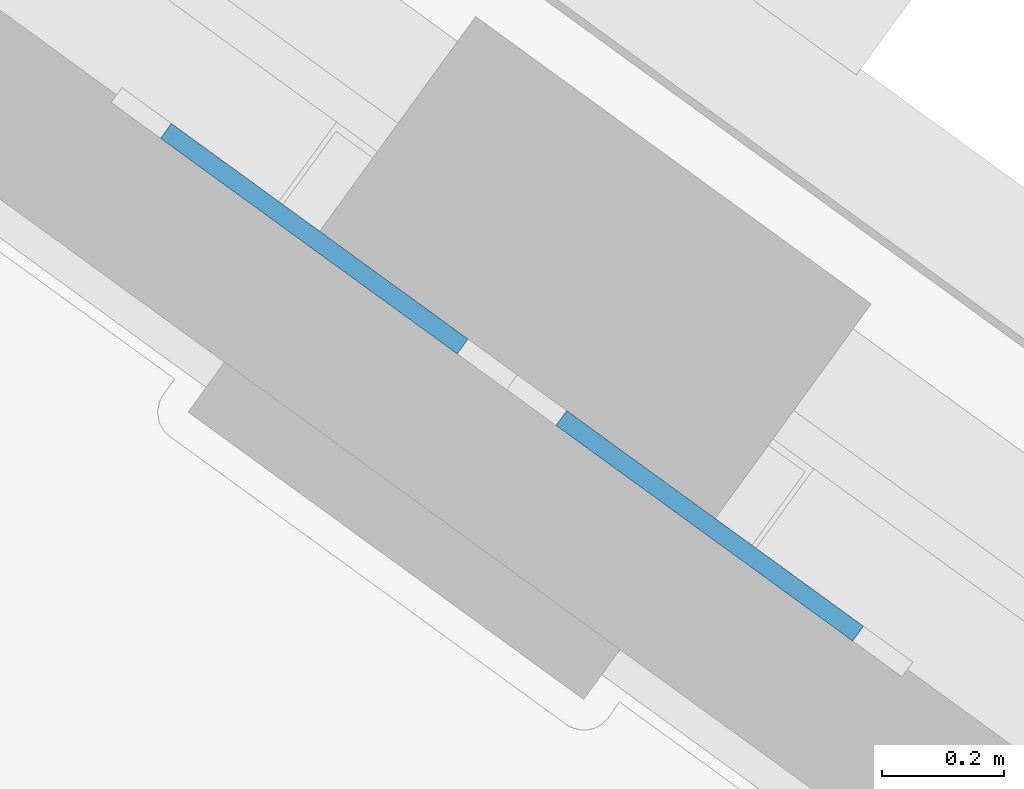
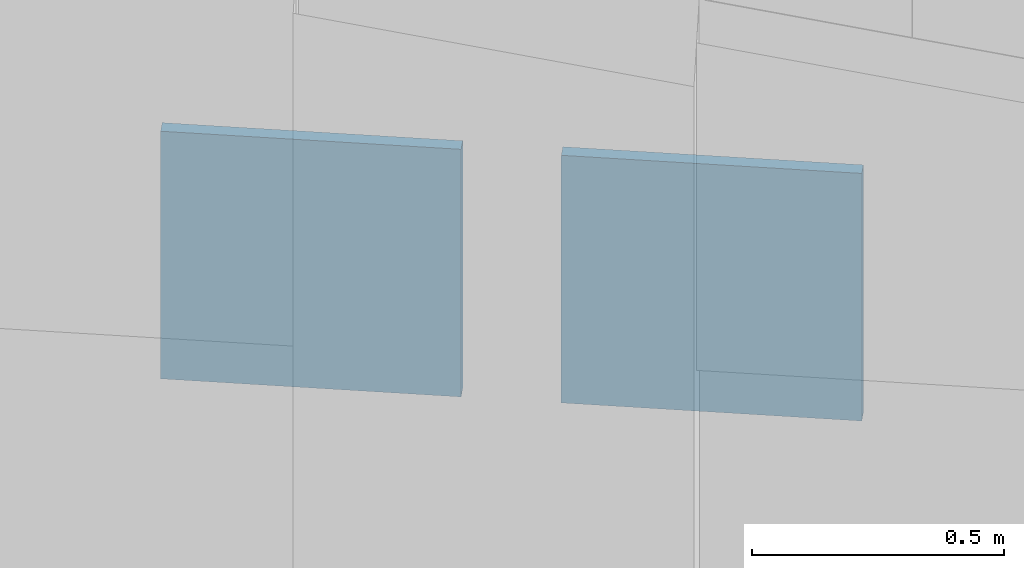
# One storey, part 8 of 15: 2 plates.
"""IFC4 building model written with IfcOpenShell, lengths in metres."""

import ifcopenshell
import ifcopenshell.guid

model = None  # the IFC model being written
_history = None  # IfcOwnerHistory: only IFC2X3 demands one
_inside = {}  # id of a spatial element -> (the spatial element, [elements in it])
_under = {}  # id of a project, library or spatial element -> (it, [spatial elements below it])
_declared = {}  # id of a project -> (the project, [libraries it declares])
_typed = {}  # id of a type object -> (the type object, [elements of that type])
_made_of = {}  # id of a material, layer set ... -> (it, [elements and type objects made of it])


def new_model(schema):
    """Start an empty IFC model of exactly this schema.

    Asked for "IFC4X3", IfcOpenShell would pick the latest addendum, in which some entities
    have other attributes; the version numbers below select the first issue.
    IFC2X3 requires an IfcOwnerHistory on every rooted entity: one is made here for all.
    """
    global model, _history
    if schema == "IFC4X3":
        model = ifcopenshell.file(schema_version=(4, 3, 0, 0))
    else:
        model = ifcopenshell.file(schema=schema)
    _inside.clear()
    _under.clear()
    _declared.clear()
    _typed.clear()
    _made_of.clear()
    _history = None
    if model.schema == "IFC2X3":
        org = make("IfcOrganization", Name="unknown")
        user = make(
            "IfcPersonAndOrganization",
            ThePerson=make("IfcPerson", FamilyName="unknown"),
            TheOrganization=org,
        )
        app = make(
            "IfcApplication",
            ApplicationDeveloper=org,
            Version="unknown",
            ApplicationFullName="unknown",
            ApplicationIdentifier="unknown",
        )
        _history = make(
            "IfcOwnerHistory",
            OwningUser=user,
            OwningApplication=app,
            ChangeAction="ADDED",
            CreationDate=0,
        )
    return model


def make(cls, **values):
    """One entity of the class cls with the attributes given. An attribute that is None is left unset."""
    return model.create_entity(
        cls, **{name: value for name, value in values.items() if value is not None}
    )


def rooted(cls, **values):
    """An entity with a GlobalId (a new one), such as an element, a storey or a relation."""
    return make(cls, GlobalId=ifcopenshell.guid.new(), OwnerHistory=_history, **values)


def si_unit(unit_type, name, prefix=None):
    """IfcSIUnit, for example si_unit("LENGTHUNIT", "METRE", prefix="MILLI")."""
    return make("IfcSIUnit", UnitType=unit_type, Prefix=prefix, Name=name)


def assignment(units):
    """IfcUnitAssignment: the units of a project."""
    return None if units is None else make("IfcUnitAssignment", Units=units)


def point(xyz):
    """IfcCartesianPoint."""
    return None if xyz is None else make("IfcCartesianPoint", Coordinates=xyz)


def direction(xyz):
    """IfcDirection."""
    return None if xyz is None else make("IfcDirection", DirectionRatios=xyz)


def frame(location, z_axis=None, x_axis=None):
    """IfcAxis2Placement3D, a coordinate frame: its origin and axes. An axis left out is left unset."""
    return make(
        "IfcAxis2Placement3D",
        Location=point(location),
        Axis=direction(z_axis),
        RefDirection=direction(x_axis),
    )


def frame_2d(location, x_axis=None):
    """IfcAxis2Placement2D, a coordinate frame in the plane: its origin and x axis."""
    return make(
        "IfcAxis2Placement2D", Location=point(location), RefDirection=direction(x_axis)
    )


def origin():
    """The frame at (0, 0, 0) with its axes left unset."""
    return frame((0.0, 0.0, 0.0))


def origin_2d():
    """The frame at (0, 0) in the plane with its x axis left unset."""
    return frame_2d((0.0, 0.0))


def place(relative_to, where):
    """IfcLocalPlacement: puts the frame where relative to a parent placement (None: the world)."""
    return make(
        "IfcLocalPlacement", PlacementRelTo=relative_to, RelativePlacement=where
    )


def context(
    kind, dimensions, precision=None, world=None, true_north=None, identifier=None
):
    """IfcGeometricRepresentationContext, for example the 3D "Model" context."""
    return make(
        "IfcGeometricRepresentationContext",
        ContextIdentifier=identifier,
        ContextType=kind,
        CoordinateSpaceDimension=dimensions,
        Precision=precision,
        WorldCoordinateSystem=world,
        TrueNorth=true_north,
    )


def subcontext(parent, identifier, kind, view, scale=None):
    """IfcGeometricRepresentationSubContext, for example "Body" below "Model"."""
    return make(
        "IfcGeometricRepresentationSubContext",
        ContextIdentifier=identifier,
        ContextType=kind,
        ParentContext=parent,
        TargetScale=scale,
        TargetView=view,
    )


def project(units=None, contexts=None):
    """IfcProject with its units and contexts."""
    return rooted(
        "IfcProject",
        Name="project",
        RepresentationContexts=contexts,
        UnitsInContext=assignment(units),
    )


def spatial(cls, under=None, at=None, **own):
    """A site, building, storey or space (cls), placed at a placement, below another one or the project."""
    s = rooted(cls, ObjectPlacement=at, **own)
    if under is not None:
        _under.setdefault(under.id(), (under, []))[1].append(s)
    return s


def profile(cls, at=None, kind="AREA", **sizes):
    """A parametric profile (cls). Its sizes go by their IFC names, for example OverallWidth=200.0."""
    return make(cls, ProfileType=kind, Position=at, **sizes)


def rectangle(**sizes):
    """IfcRectangleProfileDef."""
    return profile("IfcRectangleProfileDef", **sizes)


def extrude(swept, where, along, depth):
    """IfcExtrudedAreaSolid: the profile swept, set in the frame where, extruded along a direction by depth."""
    return make(
        "IfcExtrudedAreaSolid",
        SweptArea=swept,
        Position=where,
        ExtrudedDirection=direction(along),
        Depth=depth,
    )


def shape(context_of_items, identifier, shape_type, items):
    """IfcShapeRepresentation: the items that make up one representation, for example the "Body"."""
    return make(
        "IfcShapeRepresentation",
        ContextOfItems=context_of_items,
        RepresentationIdentifier=identifier,
        RepresentationType=shape_type,
        Items=items,
    )


def material(Name=None, Category=None):
    """IfcMaterial."""
    return make("IfcMaterial", Name=Name, Category=Category)


def layer(
    of_material, thickness, ventilated=None, Name=None, Category=None, Priority=None
):
    """IfcMaterialLayer: one layer of a wall or slab, of a material (None: an air gap)."""
    return make(
        "IfcMaterialLayer",
        Material=of_material,
        LayerThickness=thickness,
        IsVentilated=ventilated,
        Name=Name,
        Category=Category,
        Priority=Priority,
    )


def layer_set(layers, Name=None):
    """IfcMaterialLayerSet."""
    return make("IfcMaterialLayerSet", MaterialLayers=layers, LayerSetName=Name)


def made_of(thing, what):
    """Note that an element or type object is made of a material, layer set ...; save() writes the relation."""
    if what is not None:
        _made_of.setdefault(what.id(), (what, []))[1].append(thing)
    return thing


def type_object(cls, material=None, **own):
    """A type object (cls), such as IfcWallType, which elements share."""
    return made_of(rooted(cls, **own), material)


def element(
    cls,
    number,
    at=None,
    inside=None,
    cuts=None,
    type_object=None,
    material=None,
    context=None,
    identifier="Body",
    shape_type=None,
    held_by="IfcProductDefinitionShape",
    body=None,
    shapes=None,
    **own,
):
    """One element of the class cls, such as IfcWall. Its Tag is "e" and its number.

    at: its placement. inside: the storey or other place that contains it. cuts: it is an
    opening in that element (IfcRelVoidsElement). A single representation is given by context,
    identifier, shape_type and body (its items); several are given by shapes. held_by: the class
    of the entity that holds the representations. save() writes the other relations.
    """
    e = rooted(cls, Tag="e%d" % number, ObjectPlacement=at, **own)
    if body is not None:
        shapes = [shape(context, identifier, shape_type, body)]
    if shapes is not None:
        e.Representation = make(held_by, Representations=shapes)
    if inside is not None:
        _inside.setdefault(inside.id(), (inside, []))[1].append(e)
    if cuts is not None:
        rooted(
            "IfcRelVoidsElement", RelatingBuildingElement=cuts, RelatedOpeningElement=e
        )
    if type_object is not None:
        _typed.setdefault(type_object.id(), (type_object, []))[1].append(e)
    return made_of(e, material)


def aggregate(whole, parts):
    """IfcRelAggregates: a whole, such as a stair, and the parts it consists of."""
    return rooted("IfcRelAggregates", RelatingObject=whole, RelatedObjects=parts)


def save(model, path):
    """Write the relations noted so far, then the file.

    IfcRelAggregates (storeys below a building ...), IfcRelContainedInSpatialStructure (elements
    in a storey), IfcRelDefinesByType, IfcRelAssociatesMaterial and IfcRelDeclares: one each for
    every whole, place, type object, material and project.
    """
    for whole, parts in _under.values():
        aggregate(whole, parts)
    for where, things in _inside.values():
        rooted(
            "IfcRelContainedInSpatialStructure",
            RelatedElements=things,
            RelatingStructure=where,
        )
    for kind, things in _typed.values():
        rooted("IfcRelDefinesByType", RelatedObjects=things, RelatingType=kind)
    for what, things in _made_of.values():
        rooted("IfcRelAssociatesMaterial", RelatedObjects=things, RelatingMaterial=what)
    for by, libraries in _declared.values():
        rooted("IfcRelDeclares", RelatingContext=by, RelatedDefinitions=libraries)
    model.write(path)


model = new_model("IFC4")

# Units and contexts
model_context = context("Model", 3, precision=1e-05, world=origin(), true_north=direction((0.0, 1.0)))
body_context = subcontext(model_context, "Body", "Model", "MODEL_VIEW")
ifc_project = project(units=[si_unit("LENGTHUNIT", "METRE"), si_unit("AREAUNIT", "SQUARE_METRE"), si_unit("VOLUMEUNIT", "CUBIC_METRE"), si_unit("PLANEANGLEUNIT", "RADIAN"), si_unit("MASSUNIT", "GRAM", prefix="KILO")], contexts=[model_context])

# Site, building, storey
site_placement = place(None, origin())
site = spatial("IfcSite", under=ifc_project, at=site_placement, CompositionType="ELEMENT")
building_placement = place(site_placement, origin())
building = spatial("IfcBuilding", under=site, at=building_placement, Name="Quipu Civic Tower", CompositionType="ELEMENT")
storey_placement = place(building_placement, frame((0.0, 0.0, 301.0)))
storey = spatial("IfcBuildingStorey", under=building, at=storey_placement, Name="L70", CompositionType="ELEMENT", Elevation=301.0)

# Plates
ifc_material = material(Name="Steel ASTM A572 Grade 50 (fy 345 MPa)", Category="steel")
ifc_layer = layer(ifc_material, 0.030029296875)
ifc_layer_set = layer_set([ifc_layer], Name="Steel ASTM A572 Grade 50 (fy 345 MPa)")
plate_type = type_object("IfcPlateType", Name="Cast in plate TD4", PredefinedType="SHEET", material=ifc_layer_set)
for number, where, z_axis, x_axis, name in (
    (1, (32.931640625, 17.118408203125, 3.849853515625), (0.0, 0.0, 1.0), (0.809006735464, -0.587799372213, 0.0), "Cast-in plate TD4 L70 069"),
    (2, (32.284423828125, 17.58837890625, 3.849853515625), (0.0, 0.0, 1.0), (0.809006735464, -0.587799372213, 0.0), "Cast-in plate TD4 L70 072"),
):
    element("IfcPlate", number, at=place(storey_placement, frame(where, z_axis=z_axis, x_axis=x_axis)), inside=storey, type_object=plate_type, Name=name, PredefinedType="SHEET", context=body_context, shape_type="SweptSolid", body=[
        extrude(rectangle(XDim=0.60009765625, YDim=0.030029296875, at=origin_2d()), origin(), (0.0, 0.0, 1.0), 0.60009765625),
    ])

save(model, "model.ifc")
